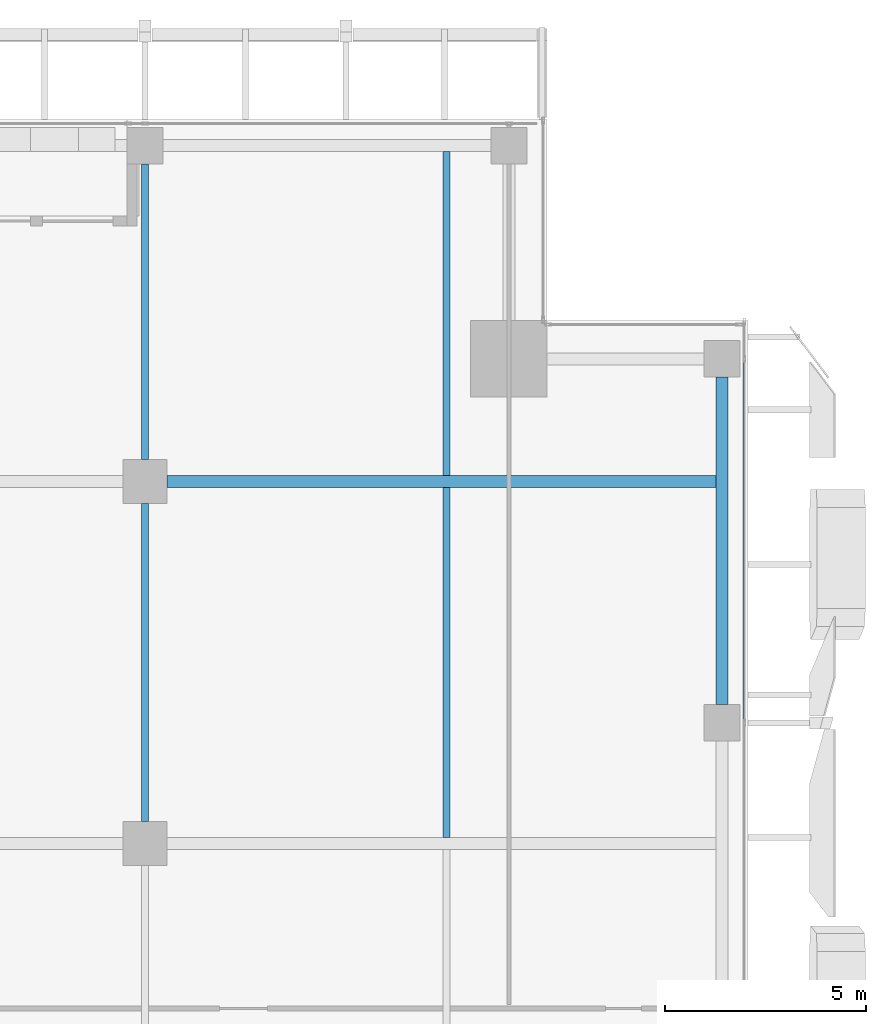
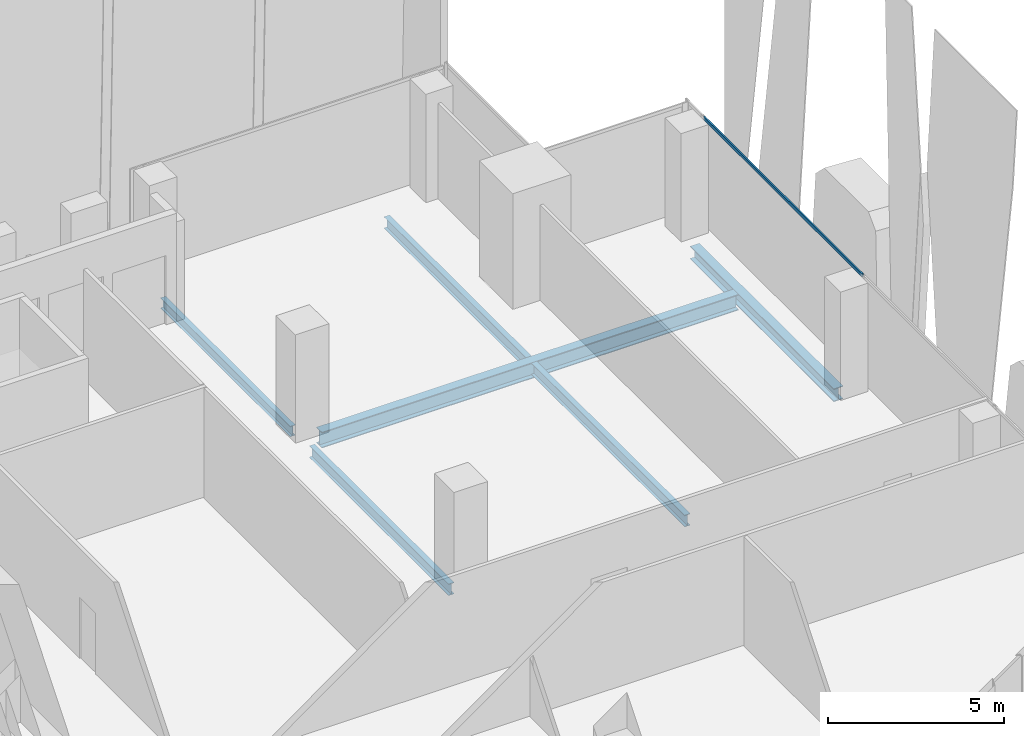
# One storey, part 17 of 33: 6 beams, 1 member, 1 element without a shape of its own.
"""IFC4 building model written with IfcOpenShell, lengths in metres."""

from ifc_helpers import new_model, si_unit, direction, frame, origin, origin_2d, place, context, subcontext, project, spatial, hollow_rectangle, i_section, extrude, source, transform, mapped, material, material_profile, profile_set, type_object, element, aggregate, save


model = new_model("IFC4")

# Units and contexts
model_context = context("Model", 3, precision=1e-05, world=origin(), true_north=direction((0.0, 1.0)))
body_context = subcontext(model_context, "Body", "Model", "MODEL_VIEW")
ifc_project = project(units=[si_unit("LENGTHUNIT", "METRE"), si_unit("AREAUNIT", "SQUARE_METRE"), si_unit("VOLUMEUNIT", "CUBIC_METRE"), si_unit("PLANEANGLEUNIT", "RADIAN"), si_unit("MASSUNIT", "GRAM", prefix="KILO")], contexts=[model_context])

# Site, building, storey
site_placement = place(None, origin())
site = spatial("IfcSite", under=ifc_project, at=site_placement, CompositionType="ELEMENT")
building_placement = place(site_placement, origin())
building = spatial("IfcBuilding", under=site, at=building_placement, Name="Khomas Fold Tower", CompositionType="ELEMENT")
storey_placement = place(building_placement, frame((0.0, 0.0, 234.199951171875)))
storey = spatial("IfcBuildingStorey", under=building, at=storey_placement, Name="L52", CompositionType="ELEMENT", Elevation=234.199951171875)

# Beams
ifc_material_1 = material(Name="Steel S355", Category="steel")
ifc_material_profile_1 = material_profile(ifc_material_1, i_section(OverallWidth=0.179931640625, OverallDepth=0.39990234375, WebThickness=0.008544921875, FlangeThickness=0.013427734375, at=origin_2d()), Name="IPE 400")
ifc_profile_set_1 = profile_set([ifc_material_profile_1], Name="Steel S355")
beam_type_1 = type_object("IfcBeamType", Name="IPE 400 beam JB3", PredefinedType="BEAM", material=ifc_profile_set_1)
shared_shape_1 = source(origin(), body_context, "Body", "SweptSolid", [
    extrude(i_section(OverallWidth=0.179931640625, OverallDepth=0.39990234375, WebThickness=0.008544921875, FlangeThickness=0.013427734375, at=origin_2d()), origin(), (0.0, 0.0, 1.0), 8.7001953125),
])
beam_1_placement = place(storey_placement, frame((42.0, 31.64990234375, -0.449951171875), z_axis=(0.0, 1.0, 0.0), x_axis=(-1.0, 0.0, 0.0)))
element("IfcBeam", 1, at=beam_1_placement, inside=storey, type_object=beam_type_1, Name="JB3", PredefinedType="BEAM", context=body_context, shape_type="MappedRepresentation", body=[
    mapped(shared_shape_1, transform((0.0, 0.0, 0.0))),
])
ifc_material_2 = material(Name="Steel S355", Category="steel")
ifc_material_profile_2 = material_profile(ifc_material_2, i_section(OverallWidth=0.300048828125, OverallDepth=0.449951171875, WebThickness=0.013916015625, FlangeThickness=0.02587890625, at=origin_2d()), Name="HE 450 B")
ifc_profile_set_2 = profile_set([ifc_material_profile_2], Name="Steel S355")
beam_type_2 = type_object("IfcBeamType", Name="HE 450 B spandrel SB4", PredefinedType="SPANDREL", material=ifc_profile_set_2)
shared_shape_2 = source(origin(), body_context, "Body", "SweptSolid", [
    extrude(i_section(OverallWidth=0.300048828125, OverallDepth=0.449951171875, WebThickness=0.013916015625, FlangeThickness=0.02587890625, at=origin_2d()), origin(), (0.0, 0.0, 1.0), 8.150146484375),
])
beam_2_placement = place(storey_placement, frame((48.85009765625, 34.949951171875, -0.474853515625), z_axis=(0.0, 1.0, 0.0), x_axis=(-1.0, 0.0, 0.0)))
element("IfcBeam", 2, at=beam_2_placement, inside=storey, type_object=beam_type_2, Name="SB4", PredefinedType="SPANDREL", context=body_context, shape_type="MappedRepresentation", body=[
    mapped(shared_shape_2, transform((0.0, 0.0, 0.0))),
])
ifc_material_3 = material(Name="Steel S355", Category="steel")
ifc_material_profile_3 = material_profile(ifc_material_3, i_section(OverallWidth=0.300048828125, OverallDepth=0.550048828125, WebThickness=0.014892578125, FlangeThickness=0.029052734375, at=origin_2d()), Name="HE 550 B")
ifc_profile_set_3 = profile_set([ifc_material_profile_3], Name="Steel S355")
beam_type_3 = type_object("IfcBeamType", Name="HE 550 B beam GB4", PredefinedType="BEAM", material=ifc_profile_set_3)
shared_shape_3 = source(origin(), body_context, "Body", "SweptSolid", [
    extrude(i_section(OverallWidth=0.300048828125, OverallDepth=0.550048828125, WebThickness=0.014892578125, FlangeThickness=0.029052734375, at=origin_2d()), origin(), (0.0, 0.0, 1.0), 13.64990234375),
])
beam_3_placement = place(storey_placement, frame((35.050048828125, 40.5, -0.52490234375), z_axis=(1.0, 0.0, 0.0), x_axis=(0.0, 1.0, 0.0)))
element("IfcBeam", 3, at=beam_3_placement, inside=storey, type_object=beam_type_3, Name="GB4", PredefinedType="BEAM", context=body_context, shape_type="MappedRepresentation", body=[
    mapped(shared_shape_3, transform((0.0, 0.0, 0.0))),
])
shared_shape_4 = source(origin(), body_context, "Body", "SweptSolid", [
    extrude(i_section(OverallWidth=0.179931640625, OverallDepth=0.39990234375, WebThickness=0.008544921875, FlangeThickness=0.013427734375, at=origin_2d()), origin(), (0.0, 0.0, 1.0), 8.050048828125),
])
beam_4_placement = place(storey_placement, frame((42.0, 40.64990234375, -0.449951171875), z_axis=(0.0, 1.0, 0.0), x_axis=(-1.0, 0.0, 0.0)))
element("IfcBeam", 4, at=beam_4_placement, inside=storey, type_object=beam_type_1, Name="JB3", PredefinedType="BEAM", context=body_context, shape_type="MappedRepresentation", body=[
    mapped(shared_shape_4, transform((0.0, 0.0, 0.0))),
])
ifc_material_4 = material(Name="Steel S355", Category="steel")
ifc_material_profile_4 = material_profile(ifc_material_4, i_section(OverallWidth=0.169921875, OverallDepth=0.360107421875, WebThickness=0.008056640625, FlangeThickness=0.0126953125, at=origin_2d()), Name="IPE 360")
ifc_profile_set_4 = profile_set([ifc_material_profile_4], Name="Steel S355")
beam_type_4 = type_object("IfcBeamType", Name="IPE 360 beam JB2", PredefinedType="BEAM", material=ifc_profile_set_4)
shared_shape_5 = source(origin(), body_context, "Body", "SweptSolid", [
    extrude(i_section(OverallWidth=0.169921875, OverallDepth=0.360107421875, WebThickness=0.008056640625, FlangeThickness=0.0126953125, at=origin_2d()), origin(), (0.0, 0.0, 1.0), 7.349853515625),
])
beam_5_placement = place(storey_placement, frame((34.5, 41.050048828125, -0.429931640625), z_axis=(0.0, 1.0, 0.0), x_axis=(-1.0, 0.0, 0.0)))
element("IfcBeam", 5, at=beam_5_placement, inside=storey, type_object=beam_type_4, Name="JB2", PredefinedType="BEAM", context=body_context, shape_type="MappedRepresentation", body=[
    mapped(shared_shape_5, transform((0.0, 0.0, 0.0))),
])
shared_shape_6 = source(origin(), body_context, "Body", "SweptSolid", [
    extrude(i_section(OverallWidth=0.179931640625, OverallDepth=0.39990234375, WebThickness=0.008544921875, FlangeThickness=0.013427734375, at=origin_2d()), origin(), (0.0, 0.0, 1.0), 7.89990234375),
])
beam_6_placement = place(storey_placement, frame((34.5, 32.050048828125, -0.449951171875), z_axis=(0.0, 1.0, 0.0), x_axis=(-1.0, 0.0, 0.0)))
element("IfcBeam", 6, at=beam_6_placement, inside=storey, type_object=beam_type_1, Name="JB3", PredefinedType="BEAM", context=body_context, shape_type="MappedRepresentation", body=[
    mapped(shared_shape_6, transform((0.0, 0.0, 0.0))),
])

# Curtain wall, member
ifc_material_5 = material(Name="Aluminium framed double glazing", Category="aluminium")
curtain_wall_type = type_object("IfcCurtainWallType", Name="SK-Unitised clear-glass wall, office floors CW2", PredefinedType="NOTDEFINED", material=ifc_material_5)
curtain_wall_placement = place(storey_placement, origin())
curtain_wall = element("IfcCurtainWall", 7, at=curtain_wall_placement, inside=storey, type_object=curtain_wall_type, Name="CW2 run L52 03-0", PredefinedType="NOTDEFINED")
ifc_material_6 = material(Name="Aluminium", Category="aluminium")
ifc_material_profile_5 = material_profile(ifc_material_6, hollow_rectangle(XDim=0.050048828125, YDim=0.110107421875, WallThickness=0.00390625, at=origin_2d()), Name="SK-Unitised clear-glass wall, office floors transom CW2-T")
ifc_profile_set_5 = profile_set([ifc_material_profile_5], Name="Aluminium")
member_type = type_object("IfcMemberType", Name="SK-Unitised clear-glass wall, office floors transom CW2-T", PredefinedType="USERDEFINED", material=ifc_profile_set_5)
shared_shape_7 = source(origin(), body_context, "Body", "SweptSolid", [
    extrude(hollow_rectangle(XDim=0.050048828125, YDim=0.110107421875, WallThickness=0.00390625, at=origin_2d()), origin(), (0.0, 0.0, 1.0), 8.989990234375),
])
member_placement = place(storey_placement, frame((49.39990234375, 34.530029296875, 3.695068359375), z_axis=(0.0, 1.0, 0.0), x_axis=(-1.0, 0.0, 0.0)))
member = element("IfcMember", 8, at=member_placement, type_object=member_type, Name="CW2 transom 5", ObjectType="TRANSOM", PredefinedType="USERDEFINED", context=body_context, shape_type="MappedRepresentation", body=[
    mapped(shared_shape_7, transform((0.0, 0.0, 0.0))),
])
aggregate(curtain_wall, [member])

save(model, "model.ifc")
